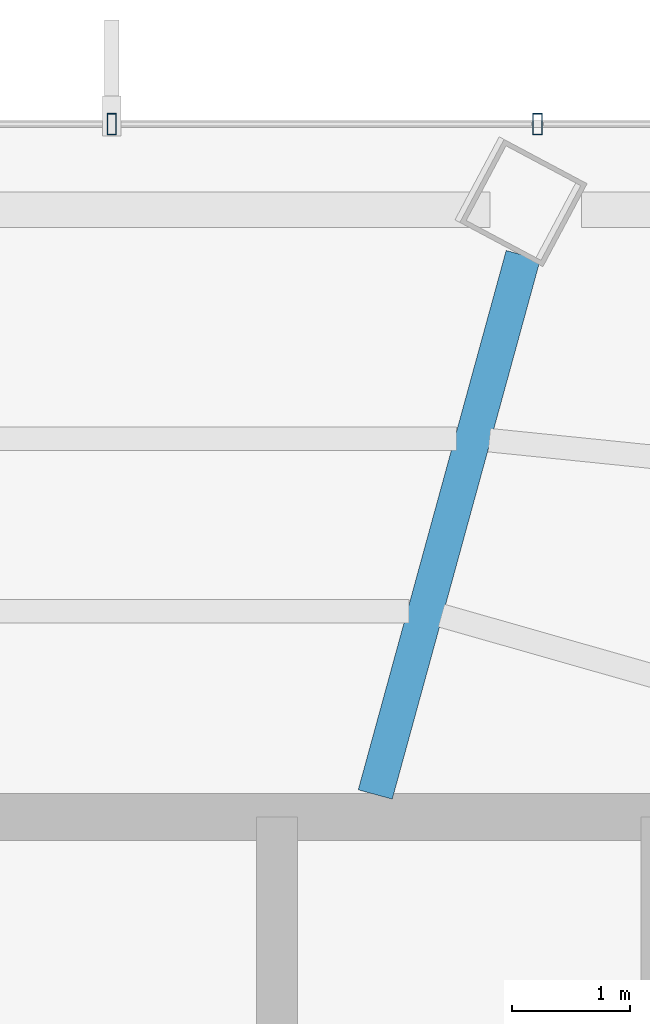
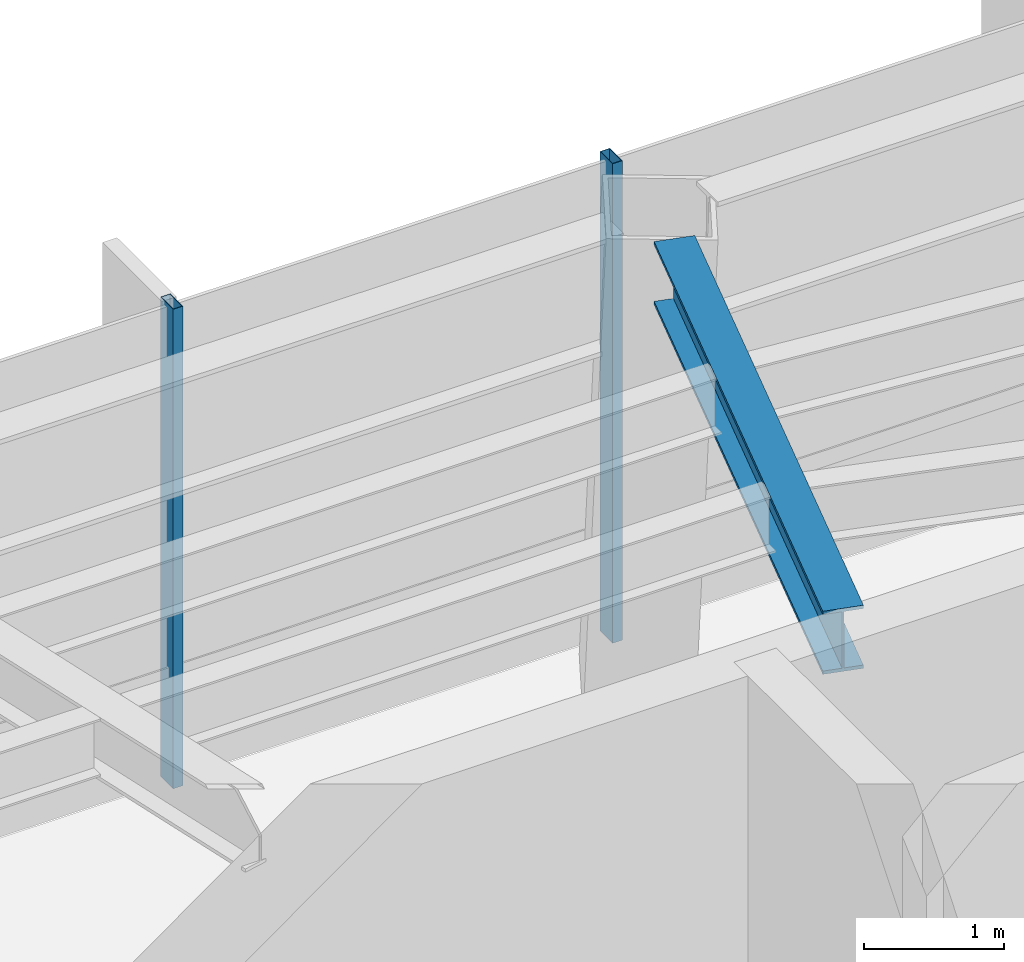
# One storey, part 14 of 25: 2 members, 1 beam, 1 element without a shape of its own.
"""IFC4 building model written with IfcOpenShell, lengths in metres."""

from ifc_helpers import new_model, si_unit, direction, frame, origin, origin_2d, place, context, subcontext, project, spatial, hollow_rectangle, i_section, extrude, material, layer, layer_set, material_profile, profile_set, type_object, element, aggregate, save


model = new_model("IFC4")

# Units and contexts
model_context = context("Model", 3, precision=1e-05, world=origin(), true_north=direction((0.0, 1.0)))
body_context = subcontext(model_context, "Body", "Model", "MODEL_VIEW")
ifc_project = project(units=[si_unit("LENGTHUNIT", "METRE"), si_unit("AREAUNIT", "SQUARE_METRE"), si_unit("VOLUMEUNIT", "CUBIC_METRE"), si_unit("PLANEANGLEUNIT", "RADIAN"), si_unit("MASSUNIT", "GRAM", prefix="KILO")], contexts=[model_context])

# Site, building, storey
site_placement = place(None, origin())
site = spatial("IfcSite", under=ifc_project, at=site_placement, CompositionType="ELEMENT")
building_placement = place(site_placement, origin())
building = spatial("IfcBuilding", under=site, at=building_placement, Name="Zarrinselat Tower", CompositionType="ELEMENT")
storey_placement = place(building_placement, frame((0.0, 0.0, 119.0)))
storey = spatial("IfcBuildingStorey", under=building, at=storey_placement, Name="L28", CompositionType="ELEMENT", Elevation=119.0)

# Beam
ifc_material_1 = material(Name="Steel S355J2", Category="steel")
ifc_material_profile_1 = material_profile(ifc_material_1, i_section(OverallWidth=0.300048828125, OverallDepth=0.550048828125, WebThickness=0.014892578125, FlangeThickness=0.029052734375, at=origin_2d()), Name="HEB 550")
ifc_profile_set_1 = profile_set([ifc_material_profile_1], Name="Steel S355J2")
beam_type = type_object("IfcBeamType", Name="BM-HEB550", PredefinedType="BEAM", material=ifc_profile_set_1)
beam_placement = place(storey_placement, frame((45.800048828125, 43.639892578125, 3.905029296875), z_axis=(0.264528008887, 0.964378002919, 0.0), x_axis=(-0.964378002919, 0.264528008887, 0.0)))
element("IfcBeam", 1, at=beam_placement, inside=storey, type_object=beam_type, Name="L28 Radial Primary Girder RG02", PredefinedType="BEAM", context=body_context, shape_type="SweptSolid", body=[
    extrude(i_section(OverallWidth=0.300048828125, OverallDepth=0.550048828125, WebThickness=0.014892578125, FlangeThickness=0.029052734375, at=origin_2d()), origin(), (0.0, 0.0, 1.0), 4.758544921875),
])

# Curtain wall, members
ifc_material_2 = material(Name="Extruded Aluminium Alloy EN AW-6063 T6", Category="aluminium")
ifc_layer = layer(ifc_material_2, 0.195068359375)
ifc_layer_set = layer_set([ifc_layer], Name="Extruded Aluminium Alloy EN AW-6063 T6")
curtain_wall_type = type_object("IfcCurtainWallType", Name="CWS-GDN", PredefinedType="NOTDEFINED", material=ifc_layer_set)
curtain_wall_placement = place(storey_placement, origin())
curtain_wall = element("IfcCurtainWall", 2, at=curtain_wall_placement, inside=storey, type_object=curtain_wall_type, Name="L28 Unitised Curtain Wall CW-L28-E04", PredefinedType="NOTDEFINED")
ifc_material_3 = material(Name="Extruded Aluminium Alloy EN AW-6063 T6", Category="aluminium")
ifc_material_profile_2 = material_profile(ifc_material_3, hollow_rectangle(XDim=0.080078125, YDim=0.179931640625, WallThickness=0.0048828125, at=origin_2d()), Name="RHS 180x80x5")
ifc_profile_set_2 = profile_set([ifc_material_profile_2], Name="Extruded Aluminium Alloy EN AW-6063 T6")
member_type = type_object("IfcMemberType", Name="MEM-CW-MUL", PredefinedType="MULLION", material=ifc_profile_set_2)
member_1_placement = place(storey_placement, frame((43.55810546875, 49.344482421875, 0.0), z_axis=(0.0, 0.0, 1.0), x_axis=(1.0, 0.0, 0.0)))
member_1 = element("IfcMember", 3, at=member_1_placement, type_object=member_type, Name="CW-L28-E04 Mullion 5", PredefinedType="MULLION", context=body_context, shape_type="SweptSolid", body=[
    extrude(hollow_rectangle(XDim=0.080078125, YDim=0.179931640625, WallThickness=0.0048828125, at=origin_2d()), origin(), (0.0, 0.0, 1.0), 4.179931640625),
])
member_2_placement = place(storey_placement, frame((47.180908203125, 49.344482421875, 0.0), z_axis=(0.0, 0.0, 1.0), x_axis=(1.0, 0.0, 0.0)))
member_2 = element("IfcMember", 4, at=member_2_placement, type_object=member_type, Name="CW-L28-E04 Mullion 6", PredefinedType="MULLION", context=body_context, shape_type="SweptSolid", body=[
    extrude(hollow_rectangle(XDim=0.080078125, YDim=0.179931640625, WallThickness=0.0048828125, at=origin_2d()), origin(), (0.0, 0.0, 1.0), 4.179931640625),
])
aggregate(curtain_wall, [member_1, member_2])

save(model, "model.ifc")
